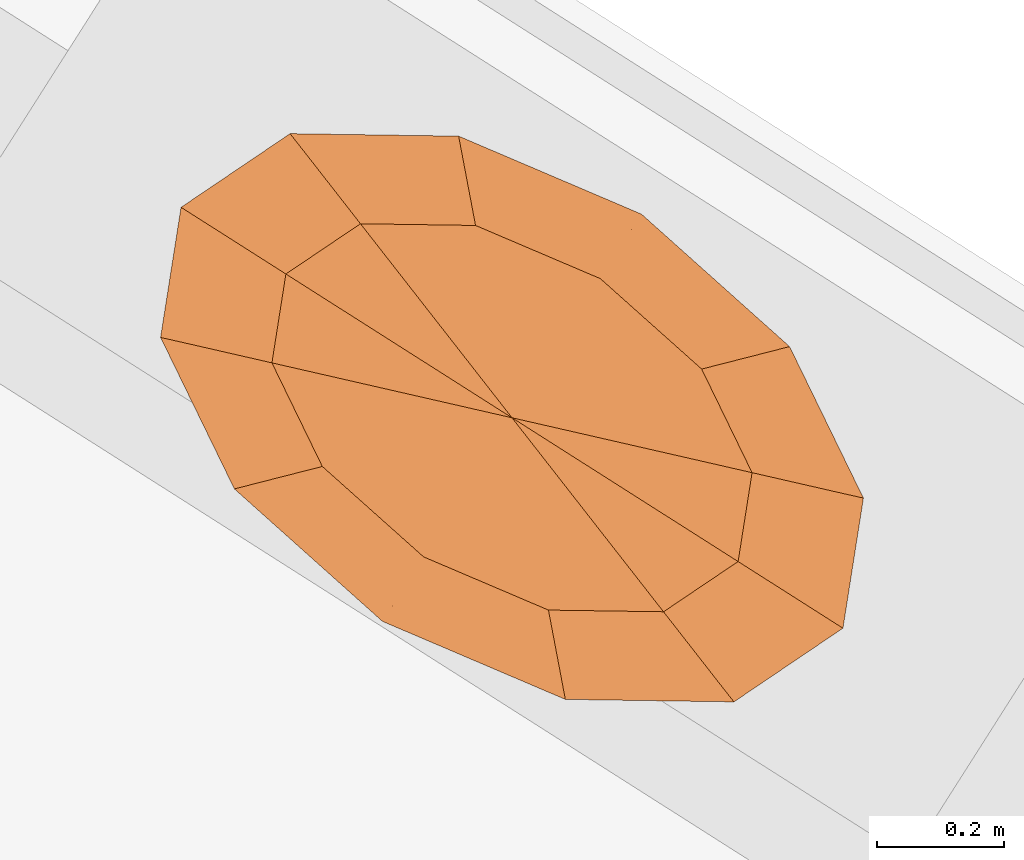
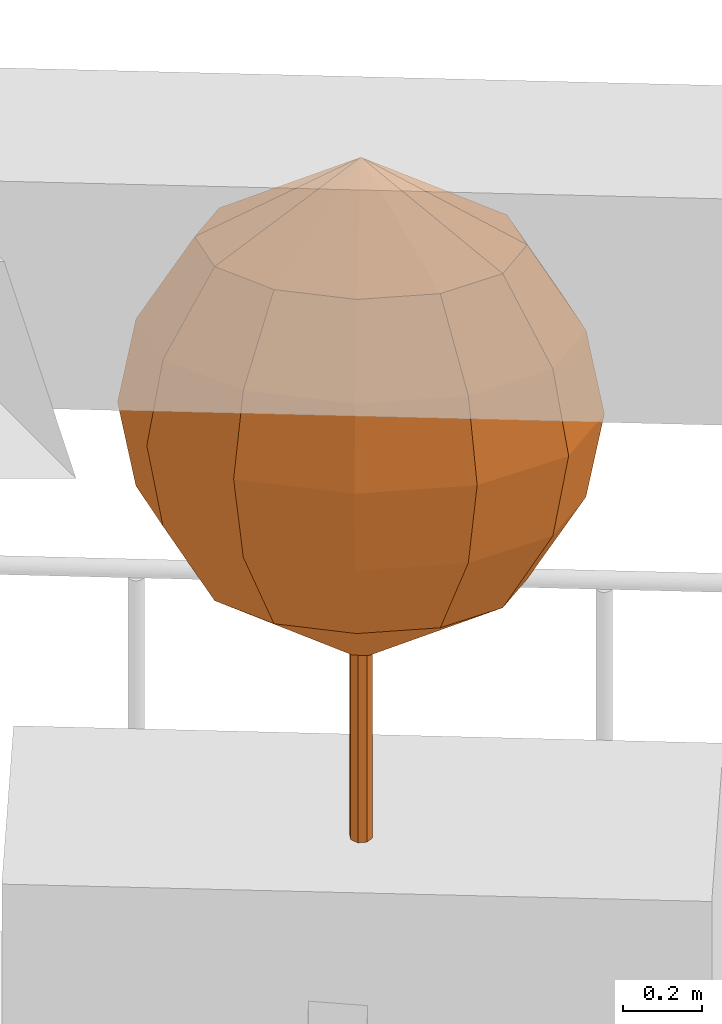
# One storey, part 12 of 12: 1 geographic element.
"""IFC4 building model written with IfcOpenShell, lengths in metres."""

import ifcopenshell
import ifcopenshell.guid

model = None  # the IFC model being written
_history = None  # IfcOwnerHistory: only IFC2X3 demands one
_inside = {}  # id of a spatial element -> (the spatial element, [elements in it])
_under = {}  # id of a project, library or spatial element -> (it, [spatial elements below it])
_declared = {}  # id of a project -> (the project, [libraries it declares])
_typed = {}  # id of a type object -> (the type object, [elements of that type])
_made_of = {}  # id of a material, layer set ... -> (it, [elements and type objects made of it])


def new_model(schema):
    """Start an empty IFC model of exactly this schema.

    Asked for "IFC4X3", IfcOpenShell would pick the latest addendum, in which some entities
    have other attributes; the version numbers below select the first issue.
    IFC2X3 requires an IfcOwnerHistory on every rooted entity: one is made here for all.
    """
    global model, _history
    if schema == "IFC4X3":
        model = ifcopenshell.file(schema_version=(4, 3, 0, 0))
    else:
        model = ifcopenshell.file(schema=schema)
    _inside.clear()
    _under.clear()
    _declared.clear()
    _typed.clear()
    _made_of.clear()
    _history = None
    if model.schema == "IFC2X3":
        org = make("IfcOrganization", Name="unknown")
        user = make(
            "IfcPersonAndOrganization",
            ThePerson=make("IfcPerson", FamilyName="unknown"),
            TheOrganization=org,
        )
        app = make(
            "IfcApplication",
            ApplicationDeveloper=org,
            Version="unknown",
            ApplicationFullName="unknown",
            ApplicationIdentifier="unknown",
        )
        _history = make(
            "IfcOwnerHistory",
            OwningUser=user,
            OwningApplication=app,
            ChangeAction="ADDED",
            CreationDate=0,
        )
    return model


def make(cls, **values):
    """One entity of the class cls with the attributes given. An attribute that is None is left unset."""
    return model.create_entity(
        cls, **{name: value for name, value in values.items() if value is not None}
    )


def rooted(cls, **values):
    """An entity with a GlobalId (a new one), such as an element, a storey or a relation."""
    return make(cls, GlobalId=ifcopenshell.guid.new(), OwnerHistory=_history, **values)


def si_unit(unit_type, name, prefix=None):
    """IfcSIUnit, for example si_unit("LENGTHUNIT", "METRE", prefix="MILLI")."""
    return make("IfcSIUnit", UnitType=unit_type, Prefix=prefix, Name=name)


def assignment(units):
    """IfcUnitAssignment: the units of a project."""
    return None if units is None else make("IfcUnitAssignment", Units=units)


def point(xyz):
    """IfcCartesianPoint."""
    return None if xyz is None else make("IfcCartesianPoint", Coordinates=xyz)


def direction(xyz):
    """IfcDirection."""
    return None if xyz is None else make("IfcDirection", DirectionRatios=xyz)


def frame(location, z_axis=None, x_axis=None):
    """IfcAxis2Placement3D, a coordinate frame: its origin and axes. An axis left out is left unset."""
    return make(
        "IfcAxis2Placement3D",
        Location=point(location),
        Axis=direction(z_axis),
        RefDirection=direction(x_axis),
    )


def origin():
    """The frame at (0, 0, 0) with its axes left unset."""
    return frame((0.0, 0.0, 0.0))


def place(relative_to, where):
    """IfcLocalPlacement: puts the frame where relative to a parent placement (None: the world)."""
    return make(
        "IfcLocalPlacement", PlacementRelTo=relative_to, RelativePlacement=where
    )


def context(
    kind, dimensions, precision=None, world=None, true_north=None, identifier=None
):
    """IfcGeometricRepresentationContext, for example the 3D "Model" context."""
    return make(
        "IfcGeometricRepresentationContext",
        ContextIdentifier=identifier,
        ContextType=kind,
        CoordinateSpaceDimension=dimensions,
        Precision=precision,
        WorldCoordinateSystem=world,
        TrueNorth=true_north,
    )


def subcontext(parent, identifier, kind, view, scale=None):
    """IfcGeometricRepresentationSubContext, for example "Body" below "Model"."""
    return make(
        "IfcGeometricRepresentationSubContext",
        ContextIdentifier=identifier,
        ContextType=kind,
        ParentContext=parent,
        TargetScale=scale,
        TargetView=view,
    )


def project(units=None, contexts=None):
    """IfcProject with its units and contexts."""
    return rooted(
        "IfcProject",
        Name="project",
        RepresentationContexts=contexts,
        UnitsInContext=assignment(units),
    )


def spatial(cls, under=None, at=None, **own):
    """A site, building, storey or space (cls), placed at a placement, below another one or the project."""
    s = rooted(cls, ObjectPlacement=at, **own)
    if under is not None:
        _under.setdefault(under.id(), (under, []))[1].append(s)
    return s


def faces_of(points, faces, orient=None, outer=None):
    """IfcFace entities. A face is a list of loops; a loop is a list of indices into points, from 0.

    orient and outer hold one flag for each loop. By default every Orientation is true, the
    first loop of a face is its IfcFaceOuterBound and the others are IfcFaceBound.
    """
    made = []
    for i, loops in enumerate(faces):
        bounds = []
        for j, loop in enumerate(loops):
            is_outer = j == 0 if outer is None else outer[i][j]
            bounds.append(
                make(
                    "IfcFaceOuterBound" if is_outer else "IfcFaceBound",
                    Bound=make("IfcPolyLoop", Polygon=[points[k] for k in loop]),
                    Orientation=True if orient is None else orient[i][j],
                )
            )
        made.append(make("IfcFace", Bounds=bounds))
    return made


def faceted_brep(points, faces, orient=None, outer=None, voids=None):
    """IfcFacetedBrep: a solid bounded by flat faces; with voids (closed shells), ...WithVoids."""
    shared = [point(p) for p in points]
    hull = make("IfcClosedShell", CfsFaces=faces_of(shared, faces, orient, outer))
    if voids is None:
        return make("IfcFacetedBrep", Outer=hull)
    return make(
        "IfcFacetedBrepWithVoids",
        Outer=hull,
        Voids=[
            make(cls, CfsFaces=faces_of(shared, fs, o, b)) for cls, fs, o, b in voids
        ],
    )


def shape(context_of_items, identifier, shape_type, items):
    """IfcShapeRepresentation: the items that make up one representation, for example the "Body"."""
    return make(
        "IfcShapeRepresentation",
        ContextOfItems=context_of_items,
        RepresentationIdentifier=identifier,
        RepresentationType=shape_type,
        Items=items,
    )


def material(Name=None, Category=None):
    """IfcMaterial."""
    return make("IfcMaterial", Name=Name, Category=Category)


def constituent(of_material, Name=None, Category=None, fraction=None):
    """IfcMaterialConstituent: one of the materials an element consists of."""
    return make(
        "IfcMaterialConstituent",
        Name=Name,
        Material=of_material,
        Fraction=fraction,
        Category=Category,
    )


def constituent_set(constituents=None, Name=None):
    """IfcMaterialConstituentSet."""
    return make(
        "IfcMaterialConstituentSet", Name=Name, MaterialConstituents=constituents
    )


def made_of(thing, what):
    """Note that an element or type object is made of a material, layer set ...; save() writes the relation."""
    if what is not None:
        _made_of.setdefault(what.id(), (what, []))[1].append(thing)
    return thing


def type_object(cls, material=None, **own):
    """A type object (cls), such as IfcWallType, which elements share."""
    return made_of(rooted(cls, **own), material)


def element(
    cls,
    number,
    at=None,
    inside=None,
    cuts=None,
    type_object=None,
    material=None,
    context=None,
    identifier="Body",
    shape_type=None,
    held_by="IfcProductDefinitionShape",
    body=None,
    shapes=None,
    **own,
):
    """One element of the class cls, such as IfcWall. Its Tag is "e" and its number.

    at: its placement. inside: the storey or other place that contains it. cuts: it is an
    opening in that element (IfcRelVoidsElement). A single representation is given by context,
    identifier, shape_type and body (its items); several are given by shapes. held_by: the class
    of the entity that holds the representations. save() writes the other relations.
    """
    e = rooted(cls, Tag="e%d" % number, ObjectPlacement=at, **own)
    if body is not None:
        shapes = [shape(context, identifier, shape_type, body)]
    if shapes is not None:
        e.Representation = make(held_by, Representations=shapes)
    if inside is not None:
        _inside.setdefault(inside.id(), (inside, []))[1].append(e)
    if cuts is not None:
        rooted(
            "IfcRelVoidsElement", RelatingBuildingElement=cuts, RelatedOpeningElement=e
        )
    if type_object is not None:
        _typed.setdefault(type_object.id(), (type_object, []))[1].append(e)
    return made_of(e, material)


def aggregate(whole, parts):
    """IfcRelAggregates: a whole, such as a stair, and the parts it consists of."""
    return rooted("IfcRelAggregates", RelatingObject=whole, RelatedObjects=parts)


def save(model, path):
    """Write the relations noted so far, then the file.

    IfcRelAggregates (storeys below a building ...), IfcRelContainedInSpatialStructure (elements
    in a storey), IfcRelDefinesByType, IfcRelAssociatesMaterial and IfcRelDeclares: one each for
    every whole, place, type object, material and project.
    """
    for whole, parts in _under.values():
        aggregate(whole, parts)
    for where, things in _inside.values():
        rooted(
            "IfcRelContainedInSpatialStructure",
            RelatedElements=things,
            RelatingStructure=where,
        )
    for kind, things in _typed.values():
        rooted("IfcRelDefinesByType", RelatedObjects=things, RelatingType=kind)
    for what, things in _made_of.values():
        rooted("IfcRelAssociatesMaterial", RelatedObjects=things, RelatingMaterial=what)
    for by, libraries in _declared.values():
        rooted("IfcRelDeclares", RelatingContext=by, RelatedDefinitions=libraries)
    model.write(path)


model = new_model("IFC4")

# Units and contexts
model_context = context("Model", 3, precision=1e-05, world=origin(), true_north=direction((0.0, 1.0)))
body_context = subcontext(model_context, "Body", "Model", "MODEL_VIEW")
ifc_project = project(units=[si_unit("LENGTHUNIT", "METRE"), si_unit("AREAUNIT", "SQUARE_METRE"), si_unit("VOLUMEUNIT", "CUBIC_METRE"), si_unit("PLANEANGLEUNIT", "RADIAN"), si_unit("MASSUNIT", "GRAM", prefix="KILO")], contexts=[model_context])

# Site, building, storey
site_placement = place(None, origin())
site = spatial("IfcSite", under=ifc_project, at=site_placement, CompositionType="ELEMENT")
building_placement = place(site_placement, origin())
building = spatial("IfcBuilding", under=site, at=building_placement, Name="Taillehof Tower", CompositionType="ELEMENT")
storey_placement = place(building_placement, frame((0.0, 0.0, 98.800048828125)))
storey = spatial("IfcBuildingStorey", under=building, at=storey_placement, Name="L27", CompositionType="ELEMENT", Elevation=98.800048828125)

# Geographic element
ifc_material_1 = material(Name="Tree bark", Category="timber")
ifc_constituent_1 = constituent(ifc_material_1, Name="Trunk", Category="timber")
ifc_material_2 = material(Name="Tree foliage")
ifc_constituent_2 = constituent(ifc_material_2, Name="Crown")
ifc_constituent_set = constituent_set(constituents=[ifc_constituent_1, ifc_constituent_2], Name="Tree TR1 Columnar hornbeam")
geographic_element_type = type_object("IfcGeographicElementType", Name="Tree TR1 Columnar hornbeam", PredefinedType="USERDEFINED", material=ifc_constituent_set)
geographic_element_placement = place(storey_placement, frame((15.759521484375, 18.814453125, 0.75)))
element("IfcGeographicElement", 1, at=geographic_element_placement, inside=storey, type_object=geographic_element_type, Name="Tree TR1 Columnar hornbeam", ObjectType="TREE", PredefinedType="USERDEFINED", context=body_context, shape_type="Brep", body=[
    faceted_brep([(0.030029296875, 0.0, 0.0), (0.021240234375, 0.021240234375, 0.0), (0.021240234375, 0.021240234375, 1.092529296875), (0.030029296875, 0.0, 1.092529296875), (0.0, 0.030029296875, 0.0), (0.0, 0.030029296875, 1.092529296875), (-0.021240234375, 0.021240234375, 0.0), (-0.021240234375, 0.021240234375, 1.092529296875), (-0.030029296875, 0.0, 0.0), (-0.030029296875, 0.0, 1.092529296875), (-0.021240234375, -0.021240234375, 0.0), (-0.021240234375, -0.021240234375, 1.092529296875), (0.0, -0.030029296875, 0.0), (0.0, -0.030029296875, 1.092529296875), (0.021240234375, -0.021240234375, 0.0), (0.021240234375, -0.021240234375, 1.092529296875)], [[[0, 1, 2, 3]], [[1, 4, 5, 2]], [[4, 6, 7, 5]], [[6, 8, 9, 7]], [[8, 10, 11, 9]], [[10, 12, 13, 11]], [[12, 14, 15, 13]], [[14, 0, 3, 15]], [[14, 12, 10, 8, 6, 4, 1, 0]], [[3, 2, 5, 7, 9, 11, 13, 15]]]),
    faceted_brep([(0.0, 0.0, 0.550048828125), (-0.3779296875, 0.08642578125, 0.808349609375), (-0.35595703125, 0.226318359375, 0.808349609375), (-0.298583984375, -0.07666015625, 0.808349609375), (-0.13916015625, -0.218994140625, 0.808349609375), (0.057373046875, -0.302734375, 0.808349609375), (0.238525390625, -0.305419921875, 0.808349609375), (0.35595703125, -0.226318359375, 0.808349609375), (0.3779296875, -0.08642578125, 0.808349609375), (0.298583984375, 0.07666015625, 0.808349609375), (0.13916015625, 0.218994140625, 0.808349609375), (-0.057373046875, 0.302734375, 0.808349609375), (-0.238525390625, 0.305419921875, 0.808349609375), (-0.51123046875, 0.116943359375, 1.066650390625), (-0.4814453125, 0.30615234375, 1.066650390625), (-0.40380859375, -0.103515625, 1.066650390625), (-0.1884765625, -0.29638671875, 1.066650390625), (0.07763671875, -0.40966796875, 1.066650390625), (0.32275390625, -0.413330078125, 1.066650390625), (0.4814453125, -0.30615234375, 1.066650390625), (0.51123046875, -0.116943359375, 1.066650390625), (0.40380859375, 0.103515625, 1.066650390625), (0.1884765625, 0.29638671875, 1.066650390625), (-0.07763671875, 0.40966796875, 1.066650390625), (-0.32275390625, 0.413330078125, 1.066650390625), (-0.55322265625, 0.12646484375, 1.324951171875), (-0.52099609375, 0.331298828125, 1.324951171875), (-0.43701171875, -0.112060546875, 1.324951171875), (-0.203857421875, -0.320556640625, 1.324951171875), (0.083984375, -0.443359375, 1.324951171875), (0.349365234375, -0.447265625, 1.324951171875), (0.52099609375, -0.331298828125, 1.324951171875), (0.55322265625, -0.12646484375, 1.324951171875), (0.43701171875, 0.112060546875, 1.324951171875), (0.203857421875, 0.320556640625, 1.324951171875), (-0.083984375, 0.443359375, 1.324951171875), (-0.349365234375, 0.447265625, 1.324951171875), (-0.51123046875, 0.116943359375, 1.583251953125), (-0.4814453125, 0.30615234375, 1.583251953125), (-0.40380859375, -0.103515625, 1.583251953125), (-0.1884765625, -0.29638671875, 1.583251953125), (0.07763671875, -0.40966796875, 1.583251953125), (0.32275390625, -0.413330078125, 1.583251953125), (0.4814453125, -0.30615234375, 1.583251953125), (0.51123046875, -0.116943359375, 1.583251953125), (0.40380859375, 0.103515625, 1.583251953125), (0.1884765625, 0.29638671875, 1.583251953125), (-0.07763671875, 0.40966796875, 1.583251953125), (-0.32275390625, 0.413330078125, 1.583251953125), (-0.3779296875, 0.08642578125, 1.841552734375), (-0.35595703125, 0.226318359375, 1.841552734375), (-0.298583984375, -0.07666015625, 1.841552734375), (-0.13916015625, -0.218994140625, 1.841552734375), (0.057373046875, -0.302734375, 1.841552734375), (0.238525390625, -0.305419921875, 1.841552734375), (0.35595703125, -0.226318359375, 1.841552734375), (0.3779296875, -0.08642578125, 1.841552734375), (0.298583984375, 0.07666015625, 1.841552734375), (0.13916015625, 0.218994140625, 1.841552734375), (-0.057373046875, 0.302734375, 1.841552734375), (-0.238525390625, 0.305419921875, 1.841552734375), (0.0, 0.0, 2.10009765625)], [[[0, 1, 2]], [[0, 3, 1]], [[0, 4, 3]], [[0, 5, 4]], [[0, 6, 5]], [[0, 7, 6]], [[0, 8, 7]], [[0, 9, 8]], [[0, 10, 9]], [[0, 11, 10]], [[0, 12, 11]], [[0, 2, 12]], [[2, 1, 13, 14]], [[1, 3, 15, 13]], [[3, 4, 16, 15]], [[4, 5, 17, 16]], [[5, 6, 18, 17]], [[6, 7, 19, 18]], [[7, 8, 20, 19]], [[8, 9, 21, 20]], [[9, 10, 22, 21]], [[10, 11, 23, 22]], [[11, 12, 24, 23]], [[12, 2, 14, 24]], [[14, 13, 25, 26]], [[13, 15, 27, 25]], [[15, 16, 28, 27]], [[16, 17, 29, 28]], [[17, 18, 30, 29]], [[18, 19, 31, 30]], [[19, 20, 32, 31]], [[20, 21, 33, 32]], [[21, 22, 34, 33]], [[22, 23, 35, 34]], [[23, 24, 36, 35]], [[24, 14, 26, 36]], [[26, 25, 37, 38]], [[25, 27, 39, 37]], [[27, 28, 40, 39]], [[28, 29, 41, 40]], [[29, 30, 42, 41]], [[30, 31, 43, 42]], [[31, 32, 44, 43]], [[32, 33, 45, 44]], [[33, 34, 46, 45]], [[34, 35, 47, 46]], [[35, 36, 48, 47]], [[36, 26, 38, 48]], [[38, 37, 49, 50]], [[37, 39, 51, 49]], [[39, 40, 52, 51]], [[40, 41, 53, 52]], [[41, 42, 54, 53]], [[42, 43, 55, 54]], [[43, 44, 56, 55]], [[44, 45, 57, 56]], [[45, 46, 58, 57]], [[46, 47, 59, 58]], [[47, 48, 60, 59]], [[48, 38, 50, 60]], [[50, 49, 61]], [[49, 51, 61]], [[51, 52, 61]], [[52, 53, 61]], [[53, 54, 61]], [[54, 55, 61]], [[55, 56, 61]], [[56, 57, 61]], [[57, 58, 61]], [[58, 59, 61]], [[59, 60, 61]], [[60, 50, 61]]]),
])

save(model, "model.ifc")
